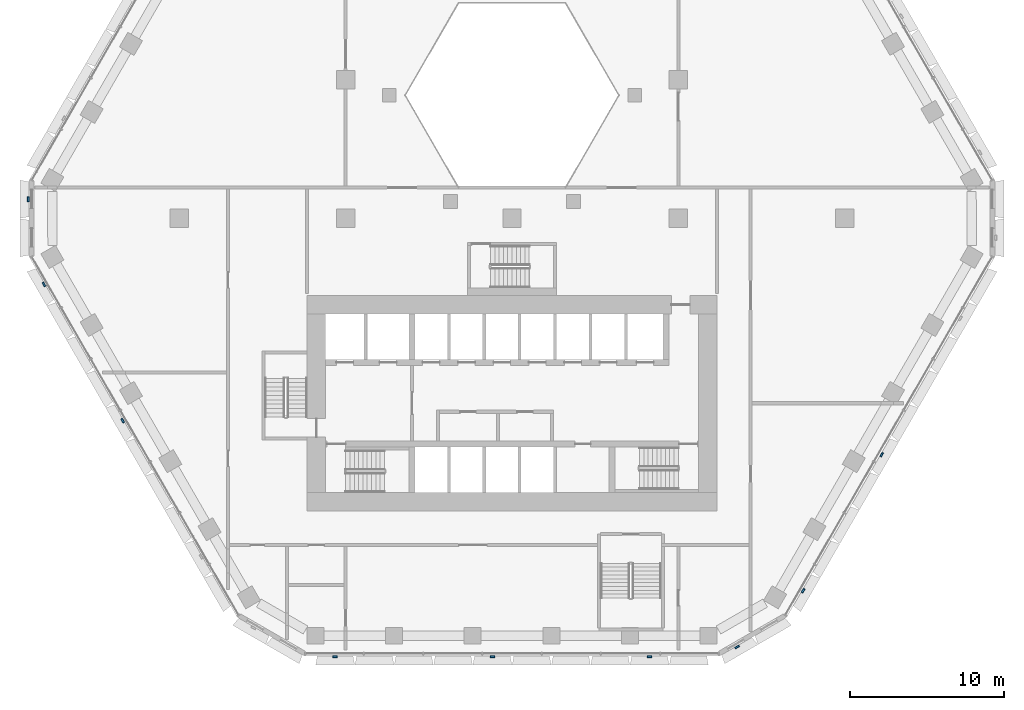
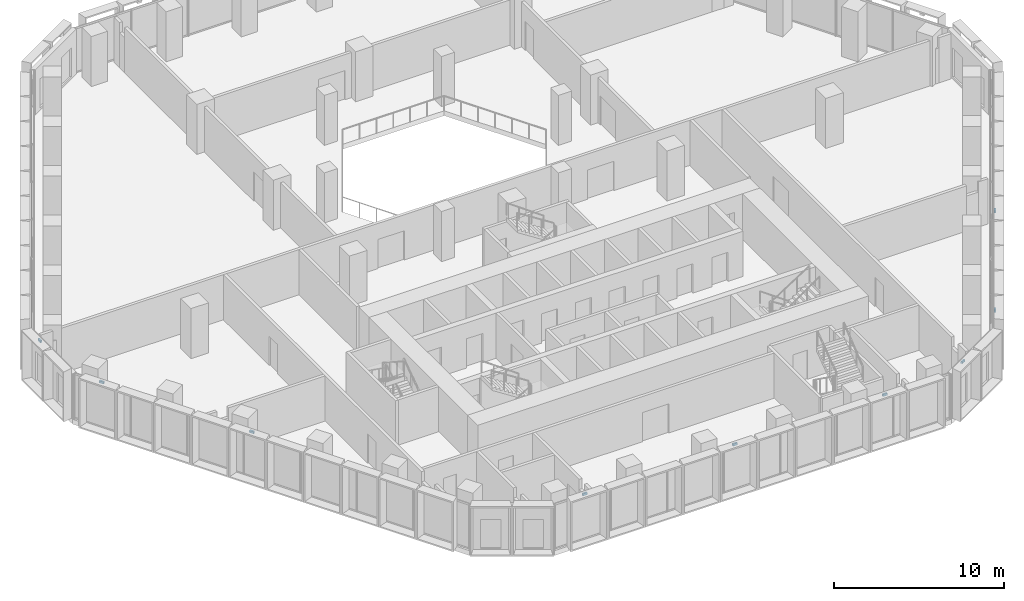
# One storey, part 15 of 25: 9 discrete accessories.
"""IFC4 building model written with IfcOpenShell, lengths in metres."""

from ifc_helpers import new_model, si_unit, direction, frame, origin, place, context, subcontext, project, spatial, polyline, outline, extrude, source, transform, mapped, material, type_object, type_shapes, element, save


model = new_model("IFC4")

# Units and contexts
model_context = context("Model", 3, precision=1e-05, world=origin(), true_north=direction((0.0, 1.0)))
body_context = subcontext(model_context, "Body", "Model", "MODEL_VIEW")
ifc_project = project(units=[si_unit("LENGTHUNIT", "METRE"), si_unit("AREAUNIT", "SQUARE_METRE"), si_unit("VOLUMEUNIT", "CUBIC_METRE"), si_unit("PLANEANGLEUNIT", "RADIAN"), si_unit("MASSUNIT", "GRAM", prefix="KILO")], contexts=[model_context])

# Site, building, storey
site_placement = place(None, origin())
site = spatial("IfcSite", under=ifc_project, at=site_placement, CompositionType="ELEMENT")
building_placement = place(site_placement, origin())
building = spatial("IfcBuilding", under=site, at=building_placement, Name="Beryl Residences", CompositionType="ELEMENT")
storey_placement = place(building_placement, frame((0.0, 0.0, 16.199951171875)))
storey = spatial("IfcBuildingStorey", under=building, at=storey_placement, Name="L04", CompositionType="ELEMENT", Elevation=16.199951171875)

# Discrete accessories
ifc_material = material(Name="Steel S355", Category="steel")
discrete_accessory_type = type_object("IfcDiscreteAccessoryType", Name="BR1 frame bracket 300 x 120 x 150 mm", PredefinedType="BRACKET", material=ifc_material)
shared_shape = source(origin(), body_context, "Body", "SweptSolid", [
    extrude(outline(polyline([(-0.14990234375, 0.0), (0.14990234375, 0.0), (0.14990234375, 0.1201171875), (-0.14990234375, 0.1201171875), (-0.14990234375, 0.0)])), origin(), (0.0, 0.0, 1.0), 0.14990234375),
])
type_shapes(discrete_accessory_type, [shared_shape])
for number, where, z_axis, x_axis, name in (
    (1, (-31.35009765625, 1.25, 3.35009765625), (0.0, 0.0, 1.0), (0.0, 1.0, 0.0), "BR1 bracket L04 NW-SW 1"),
    (2, (-30.3359375, -4.2548828125, 3.35009765625), (0.0, 0.0, 1.0), (-0.5, 0.866025403784, 0.0), "BR1 bracket L04 SW 1"),
    (3, (-25.23193359375, -13.095947265625, 3.35009765625), (0.0, 0.0, 1.0), (-0.5, 0.866025403784, 0.0), "BR1 bracket L04 SW 5"),
    (4, (-11.48291015625, -28.39990234375, 3.35009765625), (0.0, 0.0, 1.0), (-1.0, 0.0, 0.0), "BR1 bracket L04 S 1"),
    (5, (-1.27490234375, -28.39990234375, 3.35009765625), (0.0, 0.0, 1.0), (-1.0, 0.0, 0.0), "BR1 bracket L04 S 5"),
    (6, (8.93310546875, -28.39990234375, 3.35009765625), (0.0, 0.0, 1.0), (-1.0, 0.0, 0.0), "BR1 bracket L04 S 9"),
    (7, (14.593017578125, -27.77490234375, 3.35009765625), (0.0, 0.0, 1.0), (-0.866025403784, -0.5, 0.0), "BR1 bracket L04 S-SE 1"),
    (8, (18.85400390625, -24.14501953125, 3.35009765625), (0.0, 0.0, 1.0), (-0.5, -0.866025403784, 0.0), "BR1 bracket L04 SE 1"),
    (9, (23.9580078125, -15.303955078125, 3.35009765625), (0.0, 0.0, 1.0), (-0.5, -0.866025403784, 0.0), "BR1 bracket L04 SE 5"),
):
    element("IfcDiscreteAccessory", number, at=place(storey_placement, frame(where, z_axis=z_axis, x_axis=x_axis)), inside=storey, type_object=discrete_accessory_type, Name=name, PredefinedType="BRACKET", context=body_context, shape_type="MappedRepresentation", body=[
        mapped(shared_shape, transform((0.0, 0.0, 0.0))),
    ])

save(model, "model.ifc")
